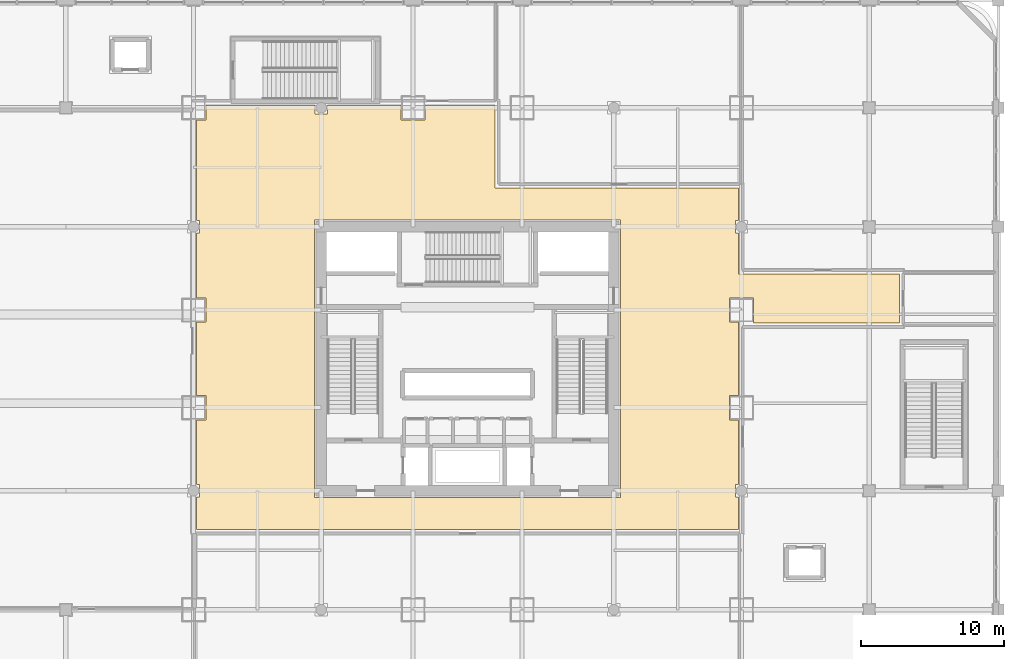
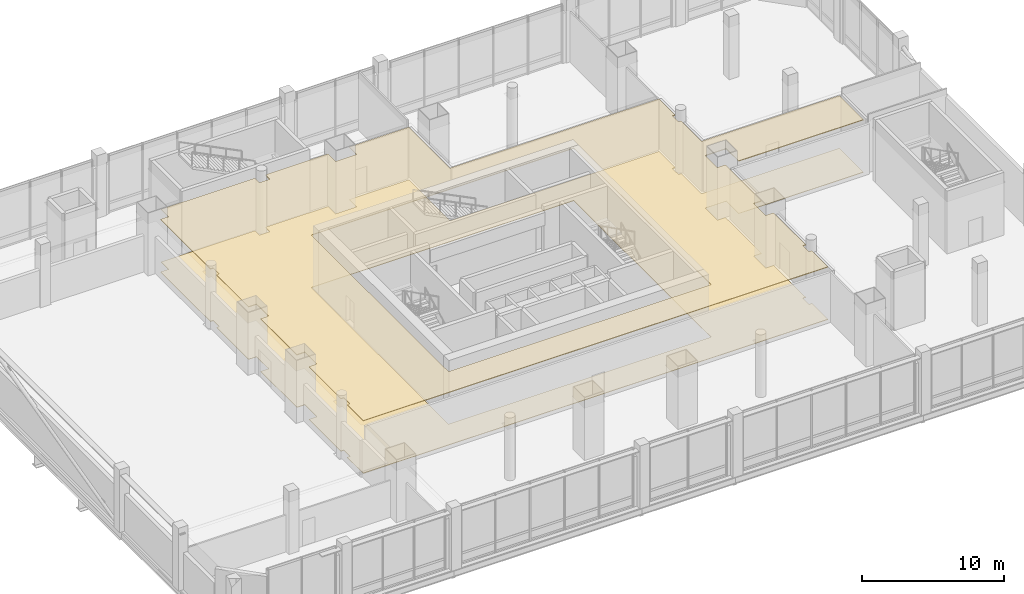
# One storey, part 30 of 35: 2 coverings.
"""IFC4 building model written with IfcOpenShell, lengths in metres."""

import ifcopenshell
import ifcopenshell.guid

model = None  # the IFC model being written
_history = None  # IfcOwnerHistory: only IFC2X3 demands one
_inside = {}  # id of a spatial element -> (the spatial element, [elements in it])
_under = {}  # id of a project, library or spatial element -> (it, [spatial elements below it])
_declared = {}  # id of a project -> (the project, [libraries it declares])
_typed = {}  # id of a type object -> (the type object, [elements of that type])
_made_of = {}  # id of a material, layer set ... -> (it, [elements and type objects made of it])


def new_model(schema):
    """Start an empty IFC model of exactly this schema.

    Asked for "IFC4X3", IfcOpenShell would pick the latest addendum, in which some entities
    have other attributes; the version numbers below select the first issue.
    IFC2X3 requires an IfcOwnerHistory on every rooted entity: one is made here for all.
    """
    global model, _history
    if schema == "IFC4X3":
        model = ifcopenshell.file(schema_version=(4, 3, 0, 0))
    else:
        model = ifcopenshell.file(schema=schema)
    _inside.clear()
    _under.clear()
    _declared.clear()
    _typed.clear()
    _made_of.clear()
    _history = None
    if model.schema == "IFC2X3":
        org = make("IfcOrganization", Name="unknown")
        user = make(
            "IfcPersonAndOrganization",
            ThePerson=make("IfcPerson", FamilyName="unknown"),
            TheOrganization=org,
        )
        app = make(
            "IfcApplication",
            ApplicationDeveloper=org,
            Version="unknown",
            ApplicationFullName="unknown",
            ApplicationIdentifier="unknown",
        )
        _history = make(
            "IfcOwnerHistory",
            OwningUser=user,
            OwningApplication=app,
            ChangeAction="ADDED",
            CreationDate=0,
        )
    return model


def make(cls, **values):
    """One entity of the class cls with the attributes given. An attribute that is None is left unset."""
    return model.create_entity(
        cls, **{name: value for name, value in values.items() if value is not None}
    )


def rooted(cls, **values):
    """An entity with a GlobalId (a new one), such as an element, a storey or a relation."""
    return make(cls, GlobalId=ifcopenshell.guid.new(), OwnerHistory=_history, **values)


def si_unit(unit_type, name, prefix=None):
    """IfcSIUnit, for example si_unit("LENGTHUNIT", "METRE", prefix="MILLI")."""
    return make("IfcSIUnit", UnitType=unit_type, Prefix=prefix, Name=name)


def assignment(units):
    """IfcUnitAssignment: the units of a project."""
    return None if units is None else make("IfcUnitAssignment", Units=units)


def point(xyz):
    """IfcCartesianPoint."""
    return None if xyz is None else make("IfcCartesianPoint", Coordinates=xyz)


def direction(xyz):
    """IfcDirection."""
    return None if xyz is None else make("IfcDirection", DirectionRatios=xyz)


def frame(location, z_axis=None, x_axis=None):
    """IfcAxis2Placement3D, a coordinate frame: its origin and axes. An axis left out is left unset."""
    return make(
        "IfcAxis2Placement3D",
        Location=point(location),
        Axis=direction(z_axis),
        RefDirection=direction(x_axis),
    )


def origin():
    """The frame at (0, 0, 0) with its axes left unset."""
    return frame((0.0, 0.0, 0.0))


def place(relative_to, where):
    """IfcLocalPlacement: puts the frame where relative to a parent placement (None: the world)."""
    return make(
        "IfcLocalPlacement", PlacementRelTo=relative_to, RelativePlacement=where
    )


def context(
    kind, dimensions, precision=None, world=None, true_north=None, identifier=None
):
    """IfcGeometricRepresentationContext, for example the 3D "Model" context."""
    return make(
        "IfcGeometricRepresentationContext",
        ContextIdentifier=identifier,
        ContextType=kind,
        CoordinateSpaceDimension=dimensions,
        Precision=precision,
        WorldCoordinateSystem=world,
        TrueNorth=true_north,
    )


def subcontext(parent, identifier, kind, view, scale=None):
    """IfcGeometricRepresentationSubContext, for example "Body" below "Model"."""
    return make(
        "IfcGeometricRepresentationSubContext",
        ContextIdentifier=identifier,
        ContextType=kind,
        ParentContext=parent,
        TargetScale=scale,
        TargetView=view,
    )


def project(units=None, contexts=None):
    """IfcProject with its units and contexts."""
    return rooted(
        "IfcProject",
        Name="project",
        RepresentationContexts=contexts,
        UnitsInContext=assignment(units),
    )


def spatial(cls, under=None, at=None, **own):
    """A site, building, storey or space (cls), placed at a placement, below another one or the project."""
    s = rooted(cls, ObjectPlacement=at, **own)
    if under is not None:
        _under.setdefault(under.id(), (under, []))[1].append(s)
    return s


def polyline(points):
    """IfcPolyline through the points."""
    return make("IfcPolyline", Points=[point(p) for p in points])


def outline(outer, holes=None, kind="AREA"):
    """IfcArbitraryClosedProfileDef: a profile drawn as a closed curve; with holes, ...WithVoids."""
    if holes is None:
        return make("IfcArbitraryClosedProfileDef", ProfileType=kind, OuterCurve=outer)
    return make(
        "IfcArbitraryProfileDefWithVoids",
        ProfileType=kind,
        OuterCurve=outer,
        InnerCurves=holes,
    )


def extrude(swept, where, along, depth):
    """IfcExtrudedAreaSolid: the profile swept, set in the frame where, extruded along a direction by depth."""
    return make(
        "IfcExtrudedAreaSolid",
        SweptArea=swept,
        Position=where,
        ExtrudedDirection=direction(along),
        Depth=depth,
    )


def shape(context_of_items, identifier, shape_type, items):
    """IfcShapeRepresentation: the items that make up one representation, for example the "Body"."""
    return make(
        "IfcShapeRepresentation",
        ContextOfItems=context_of_items,
        RepresentationIdentifier=identifier,
        RepresentationType=shape_type,
        Items=items,
    )


def material(Name=None, Category=None):
    """IfcMaterial."""
    return make("IfcMaterial", Name=Name, Category=Category)


def layer(
    of_material, thickness, ventilated=None, Name=None, Category=None, Priority=None
):
    """IfcMaterialLayer: one layer of a wall or slab, of a material (None: an air gap)."""
    return make(
        "IfcMaterialLayer",
        Material=of_material,
        LayerThickness=thickness,
        IsVentilated=ventilated,
        Name=Name,
        Category=Category,
        Priority=Priority,
    )


def layer_set(layers, Name=None):
    """IfcMaterialLayerSet."""
    return make("IfcMaterialLayerSet", MaterialLayers=layers, LayerSetName=Name)


def made_of(thing, what):
    """Note that an element or type object is made of a material, layer set ...; save() writes the relation."""
    if what is not None:
        _made_of.setdefault(what.id(), (what, []))[1].append(thing)
    return thing


def type_object(cls, material=None, **own):
    """A type object (cls), such as IfcWallType, which elements share."""
    return made_of(rooted(cls, **own), material)


def element(
    cls,
    number,
    at=None,
    inside=None,
    cuts=None,
    type_object=None,
    material=None,
    context=None,
    identifier="Body",
    shape_type=None,
    held_by="IfcProductDefinitionShape",
    body=None,
    shapes=None,
    **own,
):
    """One element of the class cls, such as IfcWall. Its Tag is "e" and its number.

    at: its placement. inside: the storey or other place that contains it. cuts: it is an
    opening in that element (IfcRelVoidsElement). A single representation is given by context,
    identifier, shape_type and body (its items); several are given by shapes. held_by: the class
    of the entity that holds the representations. save() writes the other relations.
    """
    e = rooted(cls, Tag="e%d" % number, ObjectPlacement=at, **own)
    if body is not None:
        shapes = [shape(context, identifier, shape_type, body)]
    if shapes is not None:
        e.Representation = make(held_by, Representations=shapes)
    if inside is not None:
        _inside.setdefault(inside.id(), (inside, []))[1].append(e)
    if cuts is not None:
        rooted(
            "IfcRelVoidsElement", RelatingBuildingElement=cuts, RelatedOpeningElement=e
        )
    if type_object is not None:
        _typed.setdefault(type_object.id(), (type_object, []))[1].append(e)
    return made_of(e, material)


def aggregate(whole, parts):
    """IfcRelAggregates: a whole, such as a stair, and the parts it consists of."""
    return rooted("IfcRelAggregates", RelatingObject=whole, RelatedObjects=parts)


def save(model, path):
    """Write the relations noted so far, then the file.

    IfcRelAggregates (storeys below a building ...), IfcRelContainedInSpatialStructure (elements
    in a storey), IfcRelDefinesByType, IfcRelAssociatesMaterial and IfcRelDeclares: one each for
    every whole, place, type object, material and project.
    """
    for whole, parts in _under.values():
        aggregate(whole, parts)
    for where, things in _inside.values():
        rooted(
            "IfcRelContainedInSpatialStructure",
            RelatedElements=things,
            RelatingStructure=where,
        )
    for kind, things in _typed.values():
        rooted("IfcRelDefinesByType", RelatedObjects=things, RelatingType=kind)
    for what, things in _made_of.values():
        rooted("IfcRelAssociatesMaterial", RelatedObjects=things, RelatingMaterial=what)
    for by, libraries in _declared.values():
        rooted("IfcRelDeclares", RelatingContext=by, RelatedDefinitions=libraries)
    model.write(path)


model = new_model("IFC4")

# Units and contexts
model_context = context("Model", 3, precision=1e-05, world=origin(), true_north=direction((0.0, 1.0)))
body_context = subcontext(model_context, "Body", "Model", "MODEL_VIEW")
ifc_project = project(units=[si_unit("LENGTHUNIT", "METRE"), si_unit("AREAUNIT", "SQUARE_METRE"), si_unit("VOLUMEUNIT", "CUBIC_METRE"), si_unit("PLANEANGLEUNIT", "RADIAN"), si_unit("MASSUNIT", "GRAM", prefix="KILO")], contexts=[model_context])

# Site, building, storey
site_placement = place(None, origin())
site = spatial("IfcSite", under=ifc_project, at=site_placement, CompositionType="ELEMENT")
building_placement = place(site_placement, origin())
building = spatial("IfcBuilding", under=site, at=building_placement, Name="Punatoya Terracotta Tower", CompositionType="ELEMENT")
storey_placement = place(building_placement, frame((0.0, 0.0, 16.800048828125)))
storey = spatial("IfcBuildingStorey", under=building, at=storey_placement, Name="L03", CompositionType="ELEMENT", Elevation=16.800048828125)

# Coverings
ifc_material_1 = material(Name="Acoustic Mineral Fibre Ceiling")
ifc_layer_1 = layer(ifc_material_1, 0.06005859375)
ifc_layer_set_1 = layer_set([ifc_layer_1], Name="Acoustic Mineral Fibre Ceiling")
covering_type_1 = type_object("IfcCoveringType", Name="COV-CEIL-60", PredefinedType="CEILING", material=ifc_layer_set_1)
covering_1_placement = place(storey_placement, frame((0.0, 0.0, 4.5)))
element("IfcCovering", 1, at=covering_1_placement, inside=storey, type_object=covering_type_1, Name="L03 Auditorium Pre-Function Concourse Foyer Acoustic Ceiling", PredefinedType="CEILING", context=body_context, shape_type="SweptSolid", body=[
    extrude(outline(polyline([(-18.89990234375, 4.25), (-18.25, 4.25), (-18.25, 2.550048828125), (-18.89990234375, 2.550048828125), (-18.89990234375, -2.550048828125), (-18.25, -2.550048828125), (-18.25, -4.25), (-18.89990234375, -4.25), (-18.89990234375, -8.77490234375), (-18.675048828125, -8.77490234375), (-18.675048828125, -9.625), (-18.89990234375, -9.625), (-18.89990234375, -11.89990234375), (18.89990234375, -11.89990234375), (18.89990234375, -9.625), (18.675048828125, -9.625), (18.675048828125, -8.77490234375), (18.89990234375, -8.77490234375), (18.89990234375, -4.25), (18.25, -4.25), (18.25, -2.550048828125), (18.89990234375, -2.550048828125), (18.89990234375, 2.550048828125), (18.25, 2.550048828125), (18.25, 4.25), (19.949951171875, 4.25), (19.949951171875, 2.5), (30.10009765625, 2.5), (30.10009765625, 5.89990234375), (18.89990234375, 5.89990234375), (18.89990234375, 8.77490234375), (18.675048828125, 8.77490234375), (18.675048828125, 9.625), (18.89990234375, 9.625), (18.89990234375, 11.89990234375), (1.89990234375, 11.89990234375), (1.89990234375, 17.699951171875), (-2.949951171875, 17.699951171875), (-2.949951171875, 16.64990234375), (-4.64990234375, 16.64990234375), (-4.64990234375, 17.699951171875), (-9.77490234375, 17.699951171875), (-9.77490234375, 17.074951171875), (-10.625, 17.074951171875), (-10.625, 17.699951171875), (-18.25, 17.699951171875), (-18.25, 16.64990234375), (-18.89990234375, 16.64990234375), (-18.89990234375, 9.625), (-18.675048828125, 9.625), (-18.675048828125, 8.77490234375), (-18.89990234375, 8.77490234375), (-18.89990234375, 4.25)]), holes=[polyline([(10.679931640625, 9.679931640625), (10.679931640625, -9.679931640625), (-10.679931640625, -9.679931640625), (-10.679931640625, 9.679931640625), (10.679931640625, 9.679931640625)])]), origin(), (0.0, 0.0, 1.0), 0.06005859375),
])
ifc_material_2 = material(Name="Sandstone & Raised Access Flooring", Category="masonry")
ifc_layer_2 = layer(ifc_material_2, 0.080078125)
ifc_layer_set_2 = layer_set([ifc_layer_2], Name="Sandstone & Raised Access Flooring")
covering_type_2 = type_object("IfcCoveringType", Name="COV-FLR-80", PredefinedType="FLOORING", material=ifc_layer_set_2)
covering_2_placement = place(storey_placement, origin())
element("IfcCovering", 2, at=covering_2_placement, inside=storey, type_object=covering_type_2, Name="L03 Auditorium Pre-Function Concourse Foyer Stone Floor Finish", PredefinedType="FLOORING", context=body_context, shape_type="SweptSolid", body=[
    extrude(outline(polyline([(-18.89990234375, 4.25), (-18.25, 4.25), (-18.25, 2.550048828125), (-18.89990234375, 2.550048828125), (-18.89990234375, -2.550048828125), (-18.25, -2.550048828125), (-18.25, -4.25), (-18.89990234375, -4.25), (-18.89990234375, -8.77490234375), (-18.675048828125, -8.77490234375), (-18.675048828125, -9.625), (-18.89990234375, -9.625), (-18.89990234375, -11.89990234375), (18.89990234375, -11.89990234375), (18.89990234375, -9.625), (18.675048828125, -9.625), (18.675048828125, -8.77490234375), (18.89990234375, -8.77490234375), (18.89990234375, -4.25), (18.25, -4.25), (18.25, -2.550048828125), (18.89990234375, -2.550048828125), (18.89990234375, 2.550048828125), (18.25, 2.550048828125), (18.25, 4.25), (19.949951171875, 4.25), (19.949951171875, 2.5), (30.10009765625, 2.5), (30.10009765625, 5.89990234375), (18.89990234375, 5.89990234375), (18.89990234375, 8.77490234375), (18.675048828125, 8.77490234375), (18.675048828125, 9.625), (18.89990234375, 9.625), (18.89990234375, 11.89990234375), (1.89990234375, 11.89990234375), (1.89990234375, 17.699951171875), (-2.949951171875, 17.699951171875), (-2.949951171875, 16.64990234375), (-4.64990234375, 16.64990234375), (-4.64990234375, 17.699951171875), (-9.77490234375, 17.699951171875), (-9.77490234375, 17.074951171875), (-10.625, 17.074951171875), (-10.625, 17.699951171875), (-18.25, 17.699951171875), (-18.25, 16.64990234375), (-18.89990234375, 16.64990234375), (-18.89990234375, 9.625), (-18.675048828125, 9.625), (-18.675048828125, 8.77490234375), (-18.89990234375, 8.77490234375), (-18.89990234375, 4.25)]), holes=[polyline([(10.679931640625, 9.679931640625), (10.679931640625, -9.679931640625), (-10.679931640625, -9.679931640625), (-10.679931640625, 9.679931640625), (10.679931640625, 9.679931640625)])]), origin(), (0.0, 0.0, 1.0), 0.0400390625),
])

save(model, "model.ifc")
